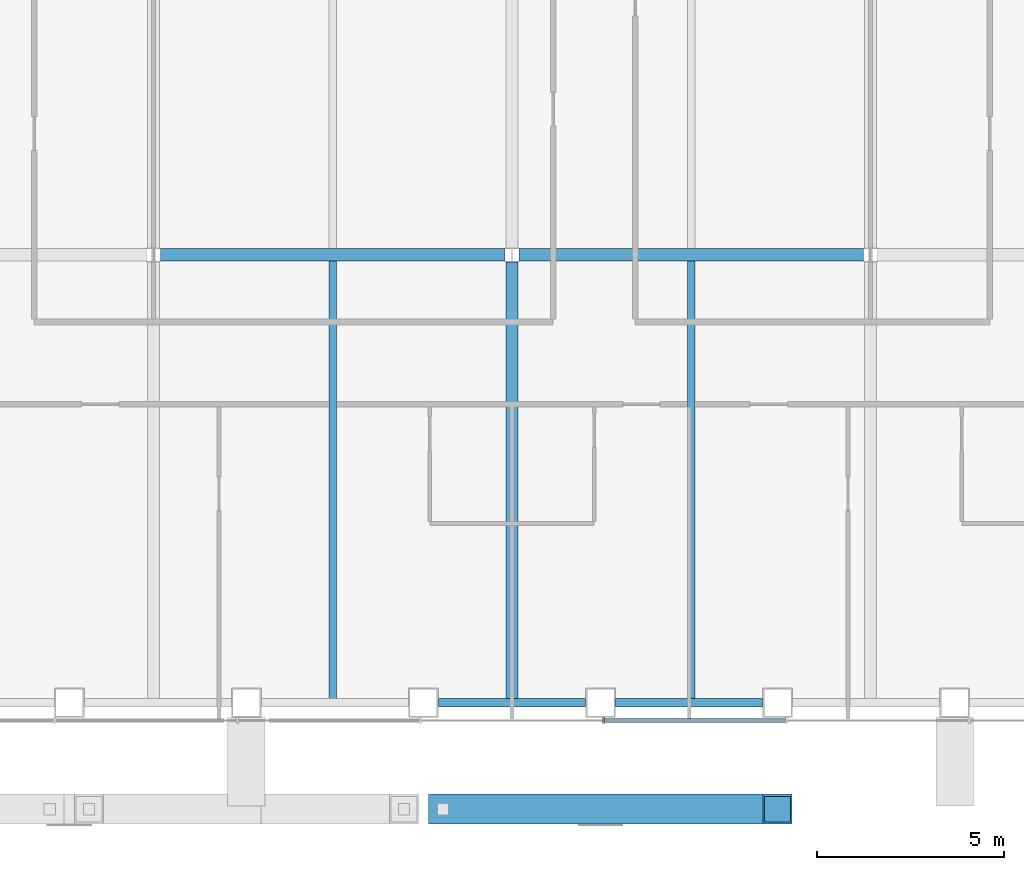
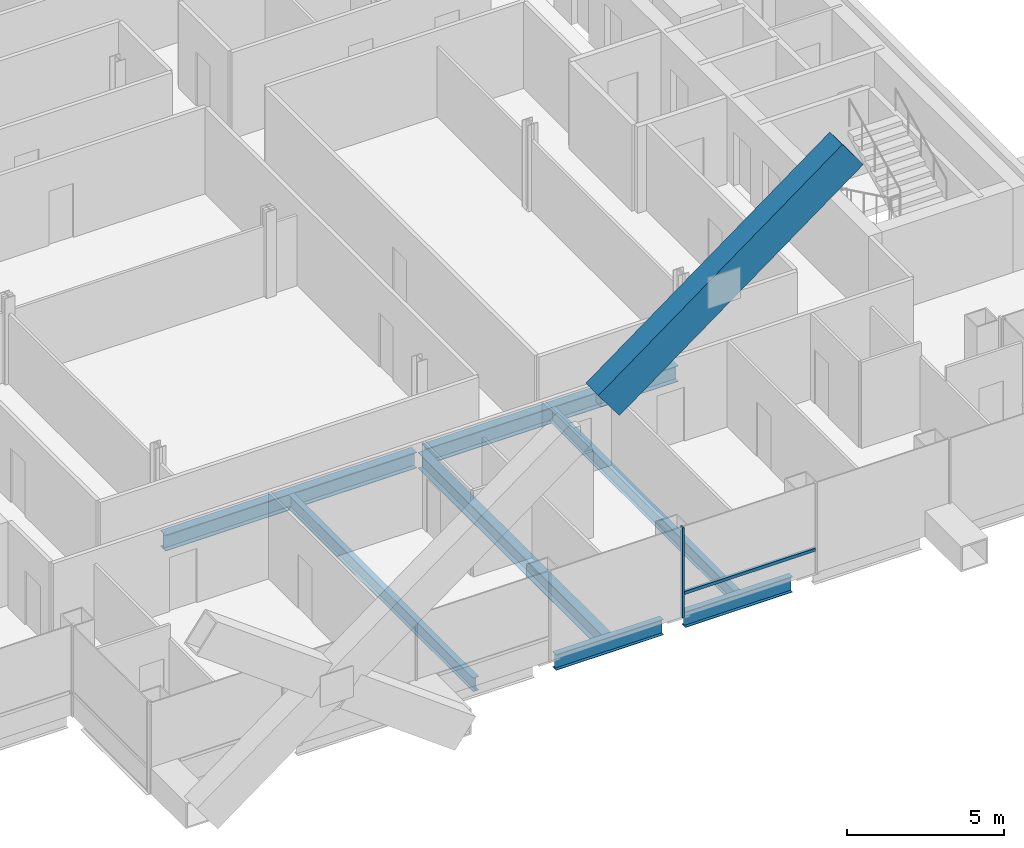
# One storey, part 4 of 18: 7 beams, 3 members, 1 element without a shape of its own.
"""IFC4 building model written with IfcOpenShell, lengths in metres."""

import ifcopenshell
import ifcopenshell.guid

model = None  # the IFC model being written
_history = None  # IfcOwnerHistory: only IFC2X3 demands one
_inside = {}  # id of a spatial element -> (the spatial element, [elements in it])
_under = {}  # id of a project, library or spatial element -> (it, [spatial elements below it])
_declared = {}  # id of a project -> (the project, [libraries it declares])
_typed = {}  # id of a type object -> (the type object, [elements of that type])
_made_of = {}  # id of a material, layer set ... -> (it, [elements and type objects made of it])


def new_model(schema):
    """Start an empty IFC model of exactly this schema.

    Asked for "IFC4X3", IfcOpenShell would pick the latest addendum, in which some entities
    have other attributes; the version numbers below select the first issue.
    IFC2X3 requires an IfcOwnerHistory on every rooted entity: one is made here for all.
    """
    global model, _history
    if schema == "IFC4X3":
        model = ifcopenshell.file(schema_version=(4, 3, 0, 0))
    else:
        model = ifcopenshell.file(schema=schema)
    _inside.clear()
    _under.clear()
    _declared.clear()
    _typed.clear()
    _made_of.clear()
    _history = None
    if model.schema == "IFC2X3":
        org = make("IfcOrganization", Name="unknown")
        user = make(
            "IfcPersonAndOrganization",
            ThePerson=make("IfcPerson", FamilyName="unknown"),
            TheOrganization=org,
        )
        app = make(
            "IfcApplication",
            ApplicationDeveloper=org,
            Version="unknown",
            ApplicationFullName="unknown",
            ApplicationIdentifier="unknown",
        )
        _history = make(
            "IfcOwnerHistory",
            OwningUser=user,
            OwningApplication=app,
            ChangeAction="ADDED",
            CreationDate=0,
        )
    return model


def make(cls, **values):
    """One entity of the class cls with the attributes given. An attribute that is None is left unset."""
    return model.create_entity(
        cls, **{name: value for name, value in values.items() if value is not None}
    )


def rooted(cls, **values):
    """An entity with a GlobalId (a new one), such as an element, a storey or a relation."""
    return make(cls, GlobalId=ifcopenshell.guid.new(), OwnerHistory=_history, **values)


def si_unit(unit_type, name, prefix=None):
    """IfcSIUnit, for example si_unit("LENGTHUNIT", "METRE", prefix="MILLI")."""
    return make("IfcSIUnit", UnitType=unit_type, Prefix=prefix, Name=name)


def assignment(units):
    """IfcUnitAssignment: the units of a project."""
    return None if units is None else make("IfcUnitAssignment", Units=units)


def point(xyz):
    """IfcCartesianPoint."""
    return None if xyz is None else make("IfcCartesianPoint", Coordinates=xyz)


def direction(xyz):
    """IfcDirection."""
    return None if xyz is None else make("IfcDirection", DirectionRatios=xyz)


def frame(location, z_axis=None, x_axis=None):
    """IfcAxis2Placement3D, a coordinate frame: its origin and axes. An axis left out is left unset."""
    return make(
        "IfcAxis2Placement3D",
        Location=point(location),
        Axis=direction(z_axis),
        RefDirection=direction(x_axis),
    )


def frame_2d(location, x_axis=None):
    """IfcAxis2Placement2D, a coordinate frame in the plane: its origin and x axis."""
    return make(
        "IfcAxis2Placement2D", Location=point(location), RefDirection=direction(x_axis)
    )


def origin():
    """The frame at (0, 0, 0) with its axes left unset."""
    return frame((0.0, 0.0, 0.0))


def origin_2d():
    """The frame at (0, 0) in the plane with its x axis left unset."""
    return frame_2d((0.0, 0.0))


def place(relative_to, where):
    """IfcLocalPlacement: puts the frame where relative to a parent placement (None: the world)."""
    return make(
        "IfcLocalPlacement", PlacementRelTo=relative_to, RelativePlacement=where
    )


def context(
    kind, dimensions, precision=None, world=None, true_north=None, identifier=None
):
    """IfcGeometricRepresentationContext, for example the 3D "Model" context."""
    return make(
        "IfcGeometricRepresentationContext",
        ContextIdentifier=identifier,
        ContextType=kind,
        CoordinateSpaceDimension=dimensions,
        Precision=precision,
        WorldCoordinateSystem=world,
        TrueNorth=true_north,
    )


def subcontext(parent, identifier, kind, view, scale=None):
    """IfcGeometricRepresentationSubContext, for example "Body" below "Model"."""
    return make(
        "IfcGeometricRepresentationSubContext",
        ContextIdentifier=identifier,
        ContextType=kind,
        ParentContext=parent,
        TargetScale=scale,
        TargetView=view,
    )


def project(units=None, contexts=None):
    """IfcProject with its units and contexts."""
    return rooted(
        "IfcProject",
        Name="project",
        RepresentationContexts=contexts,
        UnitsInContext=assignment(units),
    )


def spatial(cls, under=None, at=None, **own):
    """A site, building, storey or space (cls), placed at a placement, below another one or the project."""
    s = rooted(cls, ObjectPlacement=at, **own)
    if under is not None:
        _under.setdefault(under.id(), (under, []))[1].append(s)
    return s


def profile(cls, at=None, kind="AREA", **sizes):
    """A parametric profile (cls). Its sizes go by their IFC names, for example OverallWidth=200.0."""
    return make(cls, ProfileType=kind, Position=at, **sizes)


def rectangle(**sizes):
    """IfcRectangleProfileDef."""
    return profile("IfcRectangleProfileDef", **sizes)


def hollow_rectangle(**sizes):
    """IfcRectangleHollowProfileDef."""
    return profile("IfcRectangleHollowProfileDef", **sizes)


def i_section(**sizes):
    """IfcIShapeProfileDef."""
    return profile("IfcIShapeProfileDef", **sizes)


def extrude(swept, where, along, depth):
    """IfcExtrudedAreaSolid: the profile swept, set in the frame where, extruded along a direction by depth."""
    return make(
        "IfcExtrudedAreaSolid",
        SweptArea=swept,
        Position=where,
        ExtrudedDirection=direction(along),
        Depth=depth,
    )


def shape(context_of_items, identifier, shape_type, items):
    """IfcShapeRepresentation: the items that make up one representation, for example the "Body"."""
    return make(
        "IfcShapeRepresentation",
        ContextOfItems=context_of_items,
        RepresentationIdentifier=identifier,
        RepresentationType=shape_type,
        Items=items,
    )


def material(Name=None, Category=None):
    """IfcMaterial."""
    return make("IfcMaterial", Name=Name, Category=Category)


def material_profile(
    of_material, cross_section, Name=None, Category=None, Priority=None
):
    """IfcMaterialProfile: a cross section and its material."""
    return make(
        "IfcMaterialProfile",
        Name=Name,
        Material=of_material,
        Profile=cross_section,
        Priority=Priority,
        Category=Category,
    )


def profile_set(profiles, Name=None, composite=None):
    """IfcMaterialProfileSet."""
    return make(
        "IfcMaterialProfileSet",
        Name=Name,
        MaterialProfiles=profiles,
        CompositeProfile=composite,
    )


def made_of(thing, what):
    """Note that an element or type object is made of a material, layer set ...; save() writes the relation."""
    if what is not None:
        _made_of.setdefault(what.id(), (what, []))[1].append(thing)
    return thing


def type_object(cls, material=None, **own):
    """A type object (cls), such as IfcWallType, which elements share."""
    return made_of(rooted(cls, **own), material)


def element(
    cls,
    number,
    at=None,
    inside=None,
    cuts=None,
    type_object=None,
    material=None,
    context=None,
    identifier="Body",
    shape_type=None,
    held_by="IfcProductDefinitionShape",
    body=None,
    shapes=None,
    **own,
):
    """One element of the class cls, such as IfcWall. Its Tag is "e" and its number.

    at: its placement. inside: the storey or other place that contains it. cuts: it is an
    opening in that element (IfcRelVoidsElement). A single representation is given by context,
    identifier, shape_type and body (its items); several are given by shapes. held_by: the class
    of the entity that holds the representations. save() writes the other relations.
    """
    e = rooted(cls, Tag="e%d" % number, ObjectPlacement=at, **own)
    if body is not None:
        shapes = [shape(context, identifier, shape_type, body)]
    if shapes is not None:
        e.Representation = make(held_by, Representations=shapes)
    if inside is not None:
        _inside.setdefault(inside.id(), (inside, []))[1].append(e)
    if cuts is not None:
        rooted(
            "IfcRelVoidsElement", RelatingBuildingElement=cuts, RelatedOpeningElement=e
        )
    if type_object is not None:
        _typed.setdefault(type_object.id(), (type_object, []))[1].append(e)
    return made_of(e, material)


def aggregate(whole, parts):
    """IfcRelAggregates: a whole, such as a stair, and the parts it consists of."""
    return rooted("IfcRelAggregates", RelatingObject=whole, RelatedObjects=parts)


def save(model, path):
    """Write the relations noted so far, then the file.

    IfcRelAggregates (storeys below a building ...), IfcRelContainedInSpatialStructure (elements
    in a storey), IfcRelDefinesByType, IfcRelAssociatesMaterial and IfcRelDeclares: one each for
    every whole, place, type object, material and project.
    """
    for whole, parts in _under.values():
        aggregate(whole, parts)
    for where, things in _inside.values():
        rooted(
            "IfcRelContainedInSpatialStructure",
            RelatedElements=things,
            RelatingStructure=where,
        )
    for kind, things in _typed.values():
        rooted("IfcRelDefinesByType", RelatedObjects=things, RelatingType=kind)
    for what, things in _made_of.values():
        rooted("IfcRelAssociatesMaterial", RelatedObjects=things, RelatingMaterial=what)
    for by, libraries in _declared.values():
        rooted("IfcRelDeclares", RelatingContext=by, RelatedDefinitions=libraries)
    model.write(path)


model = new_model("IFC4")

# Units and contexts
model_context = context("Model", 3, precision=1e-05, world=origin(), true_north=direction((0.0, 1.0)))
body_context = subcontext(model_context, "Body", "Model", "MODEL_VIEW")
ifc_project = project(units=[si_unit("LENGTHUNIT", "METRE"), si_unit("AREAUNIT", "SQUARE_METRE"), si_unit("VOLUMEUNIT", "CUBIC_METRE"), si_unit("PLANEANGLEUNIT", "RADIAN"), si_unit("MASSUNIT", "GRAM", prefix="KILO")], contexts=[model_context])

# Site, building, storey
site_placement = place(None, origin())
site = spatial("IfcSite", under=ifc_project, at=site_placement, CompositionType="ELEMENT")
building_placement = place(site_placement, origin())
building = spatial("IfcBuilding", under=site, at=building_placement, Name="Cobrizo Arcos Hotel Tower", CompositionType="ELEMENT")
storey_placement = place(building_placement, frame((0.0, 0.0, 165.5)))
storey = spatial("IfcBuildingStorey", under=building, at=storey_placement, Name="L42", CompositionType="ELEMENT", Elevation=165.5)

# Member
ifc_material_1 = material(Name="Steel ASTM A572 Grade 50", Category="steel")
ifc_material_profile_1 = material_profile(ifc_material_1, hollow_rectangle(XDim=0.800048828125, YDim=1.300048828125, WallThickness=0.06005859375, at=origin_2d()), Name="BOX 800X1300X60")
ifc_profile_set_1 = profile_set([ifc_material_profile_1], Name="Steel ASTM A572 Grade 50")
member_type_1 = type_object("IfcMemberType", Name="BOX 800X1300X60 perimeter brace", PredefinedType="BRACE", material=ifc_profile_set_1)
member_1_placement = place(storey_placement, frame((-1.84814453125, -24.449951171875, 11.385986328125), z_axis=(0.804620954099, 0.0, 0.593788784186), x_axis=(0.0, 1.0, 0.0)))
element("IfcMember", 1, at=member_1_placement, inside=storey, type_object=member_type_1, Name="Perimeter brace PBR3, zone Z3, south face, no. 10b", PredefinedType="BRACE", context=body_context, shape_type="SweptSolid", body=[
    extrude(hollow_rectangle(XDim=0.800048828125, YDim=1.300048828125, WallThickness=0.06005859375, at=origin_2d()), origin(), (0.0, 0.0, 1.0), 11.138671875),
])

# Curtain wall, members
ifc_material_2 = material(Name="Aluminium 6063-T6 anodised bronze", Category="aluminium")
curtain_wall_type = type_object("IfcCurtainWallType", Name="CW-A guest facade", PredefinedType="NOTDEFINED", material=ifc_material_2)
curtain_wall_placement = place(storey_placement, origin())
curtain_wall = element("IfcCurtainWall", 2, at=curtain_wall_placement, inside=storey, type_object=curtain_wall_type, Name="CW-A L42 S face", PredefinedType="NOTDEFINED")
ifc_material_profile_2 = material_profile(ifc_material_2, rectangle(XDim=0.14990234375, YDim=0.06005859375, at=origin_2d()), Name="CW-A mullion 150x60")
ifc_profile_set_2 = profile_set([ifc_material_profile_2], Name="Aluminium 6063-T6 anodised bronze")
member_type_2 = type_object("IfcMemberType", Name="CW-A mullion 150x60", PredefinedType="MULLION", material=ifc_profile_set_2)
member_2_placement = place(storey_placement, frame((2.449951171875, -22.074951171875, 0.0), z_axis=(0.0, 0.0, 1.0), x_axis=(0.0, -1.0, 0.0)))
member_2 = element("IfcMember", 3, at=member_2_placement, type_object=member_type_2, Name="CW-A mullion 5", PredefinedType="MULLION", context=body_context, shape_type="SweptSolid", body=[
    extrude(rectangle(XDim=0.14990234375, YDim=0.06005859375, at=origin_2d()), origin(), (0.0, 0.0, 1.0), 3.5),
])
ifc_material_profile_3 = material_profile(ifc_material_2, rectangle(XDim=0.10009765625, YDim=0.1201171875, at=origin_2d()), Name="CW-A transom 120x100")
ifc_profile_set_3 = profile_set([ifc_material_profile_3], Name="Aluminium 6063-T6 anodised bronze")
member_type_3 = type_object("IfcMemberType", Name="CW-A transom 120x100", PredefinedType="USERDEFINED", material=ifc_profile_set_3)
member_3_placement = place(storey_placement, frame((2.47998046875, -22.074951171875, 0.929931640625), z_axis=(1.0, 0.0, 0.0), x_axis=(0.0, 1.0, 0.0)))
member_3 = element("IfcMember", 4, at=member_3_placement, type_object=member_type_3, Name="CW-A transom 1490", ObjectType="TRANSOM", PredefinedType="USERDEFINED", context=body_context, shape_type="SweptSolid", body=[
    extrude(rectangle(XDim=0.10009765625, YDim=0.1201171875, at=origin_2d()), origin(), (0.0, 0.0, 1.0), 4.840087890625),
])
aggregate(curtain_wall, [member_2, member_3])

# Beams
ifc_material_3 = material(Name="Steel ASTM A992 Grade 50", Category="steel")
ifc_material_profile_4 = material_profile(ifc_material_3, i_section(OverallWidth=0.209228515625, OverallDepth=0.533447265625, WebThickness=0.01025390625, FlangeThickness=0.015625, at=origin_2d()), Name="W21X62")
ifc_profile_set_4 = profile_set([ifc_material_profile_4], Name="Steel ASTM A992 Grade 50")
beam_type_1 = type_object("IfcBeamType", Name="W21X62 joist", PredefinedType="JOIST", material=ifc_profile_set_4)
for number, where, z_axis, x_axis, name in (
    (5, (-4.800048828125, -21.510009765625, -0.416748046875), (0.0, 1.0, 0.0), (-1.0, 0.0, 0.0), "Floor joist J1, L42, no. 007"),
    (6, (4.800048828125, -21.510009765625, -0.416748046875), (0.0, 1.0, 0.0), (-1.0, 0.0, 0.0), "Floor joist J1, L42, no. 011"),
):
    element("IfcBeam", number, at=place(storey_placement, frame(where, z_axis=z_axis, x_axis=x_axis)), inside=storey, type_object=beam_type_1, Name=name, PredefinedType="JOIST", context=body_context, shape_type="SweptSolid", body=[
        extrude(i_section(OverallWidth=0.209228515625, OverallDepth=0.533447265625, WebThickness=0.01025390625, FlangeThickness=0.015625, at=origin_2d()), origin(), (0.0, 0.0, 1.0), 11.74609375),
    ])
ifc_material_profile_5 = material_profile(ifc_material_3, i_section(OverallWidth=0.32763671875, OverallDepth=0.622314453125, WebThickness=0.015380859375, FlangeThickness=0.0244140625, at=origin_2d()), Name="W24X131")
ifc_profile_set_5 = profile_set([ifc_material_profile_5], Name="Steel ASTM A992 Grade 50")
beam_type_2 = type_object("IfcBeamType", Name="W24X131 girder", PredefinedType="BEAM", material=ifc_profile_set_5)
for number, where, z_axis, x_axis, name in (
    (7, (-9.413330078125, -9.60009765625, -0.461181640625), (1.0, 0.0, 0.0), (0.0, 1.0, 0.0), "Floor girder G1, L42, no. 002"),
    (8, (0.186767578125, -9.60009765625, -0.461181640625), (1.0, 0.0, 0.0), (0.0, 1.0, 0.0), "Floor girder G1, L42, no. 003"),
):
    element("IfcBeam", number, at=place(storey_placement, frame(where, z_axis=z_axis, x_axis=x_axis)), inside=storey, type_object=beam_type_2, Name=name, PredefinedType="BEAM", context=body_context, shape_type="SweptSolid", body=[
        extrude(i_section(OverallWidth=0.32763671875, OverallDepth=0.622314453125, WebThickness=0.015380859375, FlangeThickness=0.0244140625, at=origin_2d()), origin(), (0.0, 0.0, 1.0), 9.2265625),
    ])
beam_1_placement = place(storey_placement, frame((0.0, -21.510009765625, -0.461181640625), z_axis=(0.0, 1.0, 0.0), x_axis=(-1.0, 0.0, 0.0)))
element("IfcBeam", 9, at=beam_1_placement, inside=storey, type_object=beam_type_2, Name="Floor girder G1, L42, no. 017", PredefinedType="BEAM", context=body_context, shape_type="SweptSolid", body=[
    extrude(i_section(OverallWidth=0.32763671875, OverallDepth=0.622314453125, WebThickness=0.015380859375, FlangeThickness=0.0244140625, at=origin_2d()), origin(), (0.0, 0.0, 1.0), 11.723388671875),
])
ifc_material_profile_6 = material_profile(ifc_material_3, i_section(OverallWidth=0.228271484375, OverallDepth=0.607177734375, WebThickness=0.01123046875, FlangeThickness=0.017333984375, at=origin_2d()), Name="W24X76")
ifc_profile_set_6 = profile_set([ifc_material_profile_6], Name="Steel ASTM A992 Grade 50")
beam_type_3 = type_object("IfcBeamType", Name="W24X76 spandrel", PredefinedType="SPANDREL", material=ifc_profile_set_6)
beam_2_placement = place(storey_placement, frame((-1.970947265625, -21.60009765625, -0.45361328125), z_axis=(1.0, 0.0, 0.0), x_axis=(0.0, 1.0, 0.0)))
element("IfcBeam", 10, at=beam_2_placement, inside=storey, type_object=beam_type_3, Name="Spandrel beam W24X76, L42, no. 004", PredefinedType="SPANDREL", context=body_context, shape_type="SweptSolid", body=[
    extrude(i_section(OverallWidth=0.228271484375, OverallDepth=0.607177734375, WebThickness=0.01123046875, FlangeThickness=0.017333984375, at=origin_2d()), origin(), (0.0, 0.0, 1.0), 3.94189453125),
])
beam_3_placement = place(storey_placement, frame((2.77099609375, -21.60009765625, -0.45361328125), z_axis=(1.0, 0.0, 0.0), x_axis=(0.0, 1.0, 0.0)))
element("IfcBeam", 11, at=beam_3_placement, inside=storey, type_object=beam_type_3, Name="Spandrel beam W24X76, L42, no. 005", PredefinedType="SPANDREL", context=body_context, shape_type="SweptSolid", body=[
    extrude(i_section(OverallWidth=0.228271484375, OverallDepth=0.607177734375, WebThickness=0.01123046875, FlangeThickness=0.017333984375, at=origin_2d()), origin(), (0.0, 0.0, 1.0), 3.943115234375),
])

save(model, "model.ifc")
